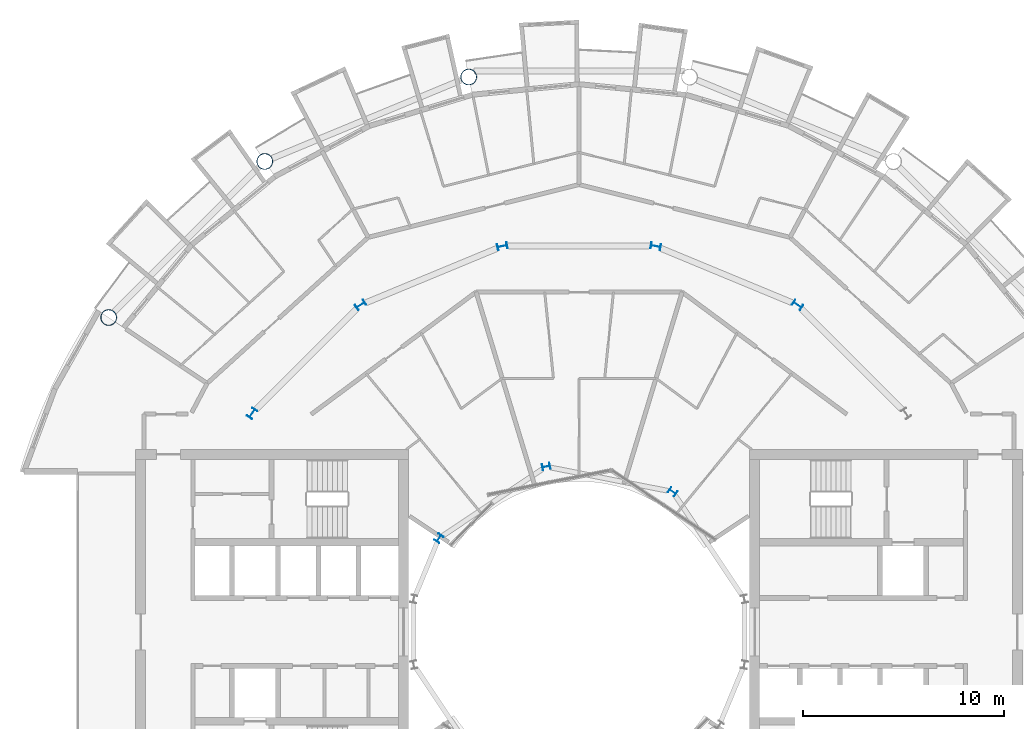
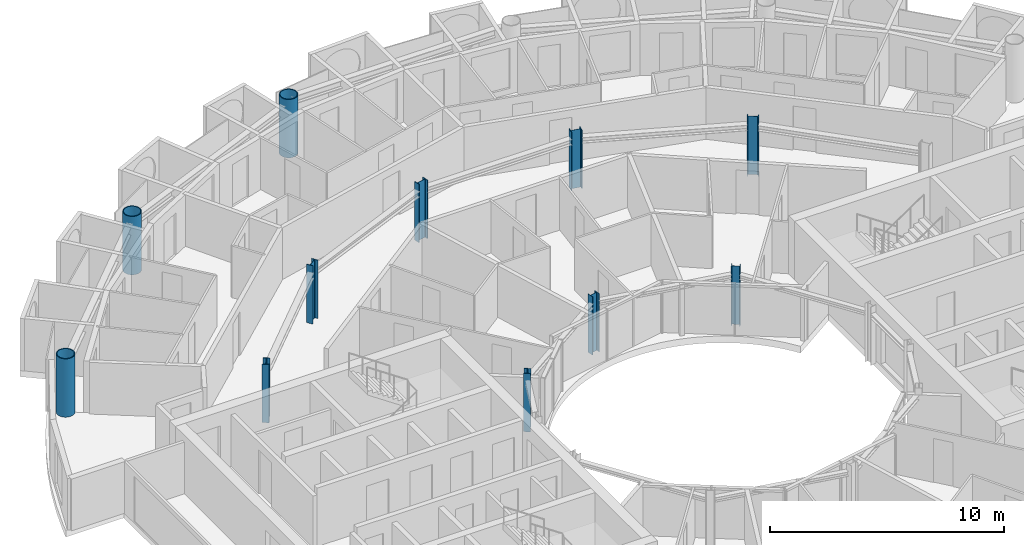
# One storey, part 3 of 27: 11 columns.
"""IFC4 building model written with IfcOpenShell, lengths in metres."""

from ifc_helpers import new_model, si_unit, direction, frame, origin, origin_2d, place, context, subcontext, project, spatial, hollow_circle, i_section, extrude, material, material_profile, profile_set, type_object, element, save


model = new_model("IFC4")

# Units and contexts
model_context = context("Model", 3, precision=1e-05, world=origin(), true_north=direction((0.0, 1.0)))
body_context = subcontext(model_context, "Body", "Model", "MODEL_VIEW")
ifc_project = project(units=[si_unit("LENGTHUNIT", "METRE"), si_unit("AREAUNIT", "SQUARE_METRE"), si_unit("VOLUMEUNIT", "CUBIC_METRE"), si_unit("PLANEANGLEUNIT", "RADIAN"), si_unit("MASSUNIT", "GRAM", prefix="KILO")], contexts=[model_context])

# Site, building, storey
site_placement = place(None, origin())
site = spatial("IfcSite", under=ifc_project, at=site_placement, CompositionType="ELEMENT")
building_placement = place(site_placement, origin())
building = spatial("IfcBuilding", under=site, at=building_placement, Name="Maasbend Ring Residences", CompositionType="ELEMENT")
storey_placement = place(building_placement, frame((0.0, 0.0, 151.300048828125)))
storey = spatial("IfcBuildingStorey", under=building, at=storey_placement, Name="L43", CompositionType="ELEMENT", Elevation=151.300048828125)

# Columns
ifc_material_1 = material(Name="Composite concrete-filled steel tube S460NH / C80/95", Category="concrete")
ifc_material_profile_1 = material_profile(ifc_material_1, hollow_circle(Radius=0.406494140625, WallThickness=0.0400390625, at=origin_2d()), Name="Composite tube column CHS 813x40")
ifc_profile_set_1 = profile_set([ifc_material_profile_1], Name="Composite concrete-filled steel tube S460NH / C80/95")
column_type_1 = type_object("IfcColumnType", Name="Composite tube column CHS 813x40", PredefinedType="COLUMN", material=ifc_profile_set_1)
for number, where, z_axis, x_axis, name in (
    (1, (-5.50146484375, 27.658203125, 0.0), (0.0, 0.0, 1.0), (1.0, 0.0, 0.0), "Outer column R5"),
    (2, (-15.6669921875, 23.447509765625, 0.0), (0.0, 0.0, 1.0), (1.0, 0.0, 0.0), "Outer column R6"),
    (3, (-23.447509765625, 15.6669921875, 0.0), (0.0, 0.0, 1.0), (1.0, 0.0, 0.0), "Outer column R7"),
):
    element("IfcColumn", number, at=place(storey_placement, frame(where, z_axis=z_axis, x_axis=x_axis)), inside=storey, type_object=column_type_1, Name=name, PredefinedType="COLUMN", context=body_context, shape_type="SweptSolid", body=[
        extrude(hollow_circle(Radius=0.406494140625, WallThickness=0.0400390625, at=origin_2d()), origin(), (0.0, 0.0, 1.0), 3.050048828125),
    ])
ifc_material_2 = material(Name="Steel S355J2", Category="steel")
ifc_material_profile_2 = material_profile(ifc_material_2, i_section(OverallWidth=0.300048828125, OverallDepth=0.389892578125, WebThickness=0.010986328125, FlangeThickness=0.01904296875, FilletRadius=0.027099609375, at=origin_2d()), Name="HEA 400")
ifc_profile_set_2 = profile_set([ifc_material_profile_2], Name="Steel S355J2")
column_type_2 = type_object("IfcColumnType", Name="Steel column HEA 400", PredefinedType="COLUMN", material=ifc_profile_set_2)
for number, where, z_axis, x_axis, name in (
    (4, (4.666748046875, 6.984375, 0.0), (0.0, 0.0, 1.0), (0.55557023302, 0.831469612303, 0.0), "Well ring column R3"),
    (5, (-1.638916015625, 8.238525390625, 0.0), (0.0, 0.0, 1.0), (-0.195090322016, 0.980785280403, 0.0), "Well ring column R5"),
    (6, (-6.984375, 4.666748046875, 0.0), (0.0, 0.0, 1.0), (-0.831469612303, 0.55557023302, 0.0), "Well ring column R7"),
):
    element("IfcColumn", number, at=place(storey_placement, frame(where, z_axis=z_axis, x_axis=x_axis)), inside=storey, type_object=column_type_2, Name=name, PredefinedType="COLUMN", context=body_context, shape_type="SweptSolid", body=[
        extrude(i_section(OverallWidth=0.300048828125, OverallDepth=0.389892578125, WebThickness=0.010986328125, FlangeThickness=0.01904296875, FilletRadius=0.027099609375, at=origin_2d()), origin(), (0.0, 0.0, 1.0), 3.050048828125),
    ])
ifc_material_3 = material(Name="Steel S355J2", Category="steel")
ifc_material_profile_3 = material_profile(ifc_material_3, i_section(OverallWidth=0.300048828125, OverallDepth=0.5, WebThickness=0.014404296875, FlangeThickness=0.028076171875, FilletRadius=0.027099609375, at=origin_2d()), Name="HEB 500")
ifc_profile_set_3 = profile_set([ifc_material_profile_3], Name="Steel S355J2")
column_type_3 = type_object("IfcColumnType", Name="Steel column HEB 500", PredefinedType="COLUMN", material=ifc_profile_set_3)
for number, where, z_axis, x_axis, name in (
    (7, (10.88916015625, 16.296875, 0.0), (0.0, 0.0, 1.0), (0.55557023302, 0.831469612303, 0.0), "Corridor ring column R3"),
    (8, (3.82373046875, 19.223388671875, 0.0), (0.0, 0.0, 1.0), (0.195090322016, 0.980785280403, 0.0), "Corridor ring column R4"),
    (9, (-3.82373046875, 19.223388671875, 0.0), (0.0, 0.0, 1.0), (-0.195090322016, 0.980785280403, 0.0), "Corridor ring column R5"),
    (10, (-10.88916015625, 16.296875, 0.0), (0.0, 0.0, 1.0), (-0.55557023302, 0.831469612303, 0.0), "Corridor ring column R6"),
    (11, (-16.296875, 10.88916015625, 0.0), (0.0, 0.0, 1.0), (-0.831469612303, 0.55557023302, 0.0), "Corridor ring column R7"),
):
    element("IfcColumn", number, at=place(storey_placement, frame(where, z_axis=z_axis, x_axis=x_axis)), inside=storey, type_object=column_type_3, Name=name, PredefinedType="COLUMN", context=body_context, shape_type="SweptSolid", body=[
        extrude(i_section(OverallWidth=0.300048828125, OverallDepth=0.5, WebThickness=0.014404296875, FlangeThickness=0.028076171875, FilletRadius=0.027099609375, at=origin_2d()), origin(), (0.0, 0.0, 1.0), 3.050048828125),
    ])

save(model, "model.ifc")
